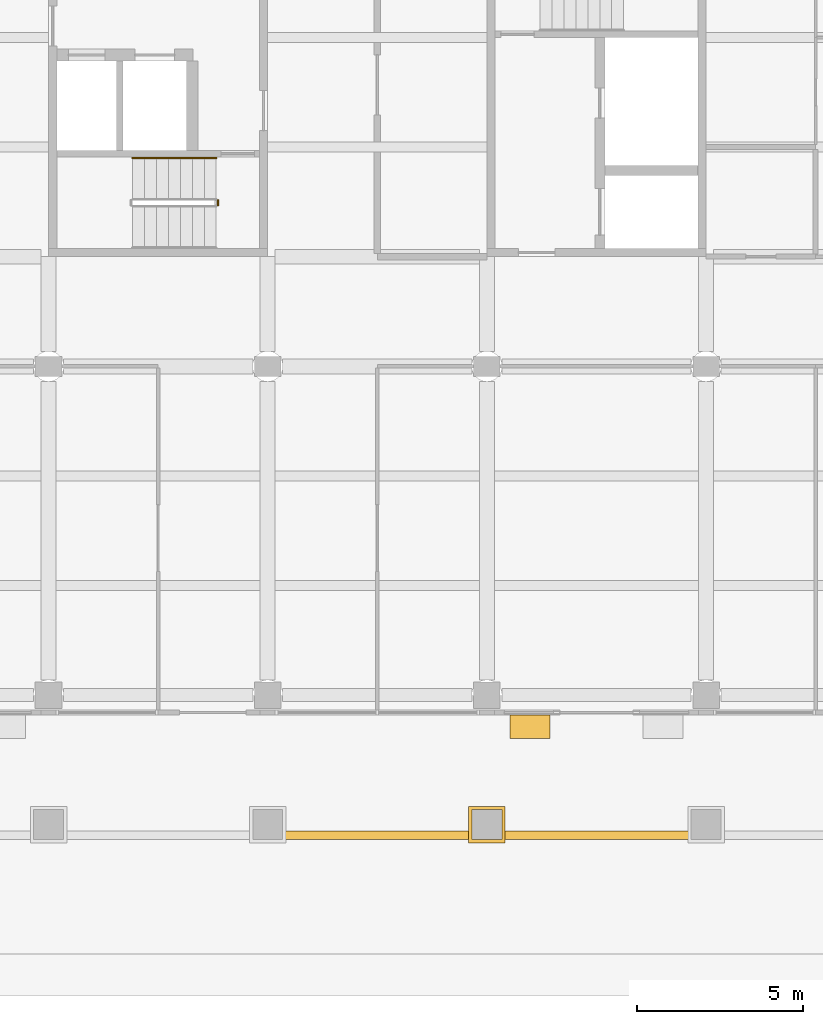
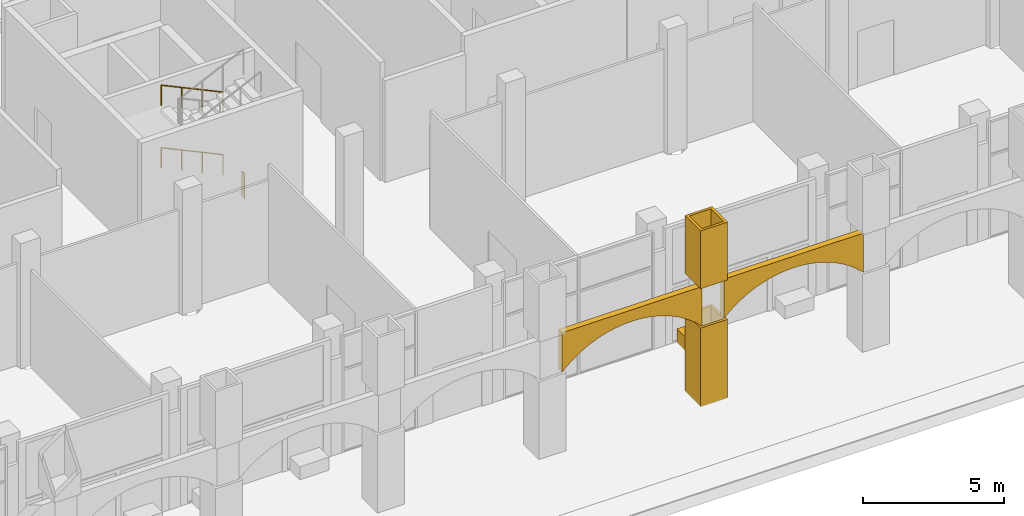
# One storey, part 48 of 85: 5 coverings, 3 railings.
"""IFC4 building model written with IfcOpenShell, lengths in metres."""

from ifc_helpers import new_model, si_unit, direction, frame, origin, origin_2d, place, context, subcontext, project, spatial, polyline, rectangle, circle, outline, extrude, material, layer, layer_set, type_object, element, save


model = new_model("IFC4")

# Units and contexts
model_context = context("Model", 3, precision=1e-05, world=origin(), true_north=direction((0.0, 1.0)))
body_context = subcontext(model_context, "Body", "Model", "MODEL_VIEW")
ifc_project = project(units=[si_unit("LENGTHUNIT", "METRE"), si_unit("AREAUNIT", "SQUARE_METRE"), si_unit("VOLUMEUNIT", "CUBIC_METRE"), si_unit("PLANEANGLEUNIT", "RADIAN"), si_unit("MASSUNIT", "GRAM", prefix="KILO")], contexts=[model_context])

# Site, building, storey
site_placement = place(None, origin())
site = spatial("IfcSite", under=ifc_project, at=site_placement, CompositionType="ELEMENT")
building_placement = place(site_placement, origin())
building = spatial("IfcBuilding", under=site, at=building_placement, Name="Lantern Court Research Institute", CompositionType="ELEMENT")
storey_placement = place(building_placement, origin())
storey = spatial("IfcBuildingStorey", under=building, at=storey_placement, Name="L00", CompositionType="ELEMENT", Elevation=0.0)

# Coverings
ifc_material_1 = material(Name="Glass fibre reinforced concrete cladding", Category="concrete")
ifc_layer_1 = layer(ifc_material_1, 0.25)
ifc_layer_set_1 = layer_set([ifc_layer_1], Name="Glass fibre reinforced concrete cladding")
covering_type_1 = type_object("IfcCoveringType", Name="Arcade frieze panel 250 glass fibre reinforced concrete", PredefinedType="CLADDING", material=ifc_layer_set_1)
covering_1_placement = place(storey_placement, frame((0.0, -4.10009765625, 0.0), z_axis=(0.0, -1.0, 0.0), x_axis=(1.0, 0.0, 0.0)))
element("IfcCovering", 1, at=covering_1_placement, inside=storey, type_object=covering_type_1, Name="Arcade arched frieze panel 5", PredefinedType="CLADDING", context=body_context, shape_type="SweptSolid", body=[
    extrude(outline(polyline([(26.85009765625, 5.10009765625), (26.85009765625, 3.39990234375), (27.08740234375, 3.6240234375), (27.324951171875, 3.814697265625), (27.5625, 3.97802734375), (27.800048828125, 4.117919921875), (28.03759765625, 4.236572265625), (28.27490234375, 4.33642578125), (28.512451171875, 4.4189453125), (28.75, 4.485107421875), (28.987548828125, 4.535888671875), (29.22509765625, 4.571533203125), (29.46240234375, 4.593017578125), (29.699951171875, 4.60009765625), (29.9375, 4.593017578125), (30.175048828125, 4.571533203125), (30.41259765625, 4.535888671875), (30.64990234375, 4.485107421875), (30.887451171875, 4.4189453125), (31.125, 4.33642578125), (31.362548828125, 4.236572265625), (31.60009765625, 4.117919921875), (31.83740234375, 3.97802734375), (32.074951171875, 3.814697265625), (32.3125, 3.6240234375), (32.550048828125, 3.39990234375), (32.550048828125, 5.10009765625), (26.85009765625, 5.10009765625)])), origin(), (0.0, 0.0, 1.0), 0.25),
])
covering_2_placement = place(storey_placement, frame((0.0, -4.10009765625, 0.0), z_axis=(0.0, -1.0, 0.0), x_axis=(1.0, 0.0, 0.0)))
element("IfcCovering", 2, at=covering_2_placement, inside=storey, type_object=covering_type_1, Name="Arcade arched frieze panel 6", PredefinedType="CLADDING", context=body_context, shape_type="SweptSolid", body=[
    extrude(outline(polyline([(33.449951171875, 5.10009765625), (33.449951171875, 3.39990234375), (33.6875, 3.6240234375), (33.925048828125, 3.814697265625), (34.16259765625, 3.97802734375), (34.39990234375, 4.117919921875), (34.637451171875, 4.236572265625), (34.875, 4.33642578125), (35.112548828125, 4.4189453125), (35.35009765625, 4.485107421875), (35.58740234375, 4.535888671875), (35.824951171875, 4.571533203125), (36.0625, 4.593017578125), (36.300048828125, 4.60009765625), (36.53759765625, 4.593017578125), (36.77490234375, 4.571533203125), (37.012451171875, 4.535888671875), (37.25, 4.485107421875), (37.487548828125, 4.4189453125), (37.72509765625, 4.33642578125), (37.96240234375, 4.236572265625), (38.199951171875, 4.117919921875), (38.4375, 3.97802734375), (38.675048828125, 3.814697265625), (38.91259765625, 3.6240234375), (39.14990234375, 3.39990234375), (39.14990234375, 5.10009765625), (33.449951171875, 5.10009765625)])), origin(), (0.0, 0.0, 1.0), 0.25),
])
ifc_material_2 = material(Name="Glass fibre reinforced concrete cladding", Category="concrete")
ifc_layer_2 = layer(ifc_material_2, 0.699951171875)
ifc_layer_set_2 = layer_set([ifc_layer_2], Name="Glass fibre reinforced concrete cladding")
covering_type_2 = type_object("IfcCoveringType", Name="Entrance planter 700 glass fibre reinforced concrete", PredefinedType="CLADDING", material=ifc_layer_set_2)
covering_3_placement = place(storey_placement, frame((34.300048828125, -0.949951171875, 0.0), z_axis=(0.0, 0.0, 1.0), x_axis=(1.0, 0.0, 0.0)))
element("IfcCovering", 3, at=covering_3_placement, inside=storey, type_object=covering_type_2, Name="Entrance planter 14", PredefinedType="CLADDING", context=body_context, shape_type="SweptSolid", body=[
    extrude(rectangle(XDim=1.199951171875, YDim=0.699951171875, at=origin_2d()), origin(), (0.0, 0.0, 1.0), 0.60009765625),
])
ifc_material_3 = material(Name="Glass fibre reinforced concrete cladding", Category="concrete")
ifc_layer_3 = layer(ifc_material_3, 0.10009765625)
ifc_layer_set_3 = layer_set([ifc_layer_3], Name="Glass fibre reinforced concrete cladding")
covering_type_3 = type_object("IfcCoveringType", Name="Pier casing 100 glass fibre reinforced concrete", PredefinedType="CLADDING", material=ifc_layer_set_3)
covering_4_placement = place(storey_placement, origin())
element("IfcCovering", 4, at=covering_4_placement, inside=storey, type_object=covering_type_3, Name="Pier casing 11", PredefinedType="CLADDING", context=body_context, shape_type="SweptSolid", body=[
    extrude(outline(polyline([(32.449951171875, -4.449951171875), (33.550048828125, -4.449951171875), (33.550048828125, -3.35009765625), (32.449951171875, -3.35009765625), (32.449951171875, -4.449951171875)]), holes=[polyline([(33.449951171875, -3.449951171875), (33.449951171875, -4.35009765625), (32.550048828125, -4.35009765625), (32.550048828125, -3.449951171875), (33.449951171875, -3.449951171875)])]), origin(), (0.0, 0.0, 1.0), 3.39990234375),
])
covering_5_placement = place(storey_placement, frame((0.0, 0.0, 5.10009765625)))
element("IfcCovering", 5, at=covering_5_placement, inside=storey, type_object=covering_type_3, Name="Pier casing 12", PredefinedType="CLADDING", context=body_context, shape_type="SweptSolid", body=[
    extrude(outline(polyline([(32.449951171875, -4.449951171875), (33.550048828125, -4.449951171875), (33.550048828125, -3.35009765625), (32.449951171875, -3.35009765625), (32.449951171875, -4.449951171875)]), holes=[polyline([(33.449951171875, -3.449951171875), (33.449951171875, -4.35009765625), (32.550048828125, -4.35009765625), (32.550048828125, -3.449951171875), (33.449951171875, -3.449951171875)])]), origin(), (0.0, 0.0, 1.0), 2.5),
])

# Railings
ifc_material_4 = material(Name="Structural steel S355", Category="steel")
railing_type_1 = type_object("IfcRailingType", Name="Stair guard 1100 steel", PredefinedType="GUARDRAIL", material=ifc_material_4)
railing_placement = place(storey_placement, frame((24.89990234375, 14.89990234375, 0.0)))
element("IfcRailing", 6, at=railing_placement, inside=storey, type_object=railing_type_1, Name="L00 ST-B2 stair guard 8", PredefinedType="GUARDRAIL", context=body_context, shape_type="SweptSolid", body=[
    extrude(circle(Radius=0.02392578125, at=origin_2d()), frame((0.0, 0.0, 1.076171875), z_axis=(0.0, -1.0, 0.0), x_axis=(1.0, 0.0, 0.0)), (0.0, 0.0, 1.0), 0.14990234375),
    extrude(circle(Radius=0.02099609375, at=origin_2d()), origin(), (0.0, 0.0, 1.0), 1.052001953125),
    extrude(circle(Radius=0.02099609375, at=origin_2d()), frame((0.0, -0.14990234375, 0.0)), (0.0, 0.0, 1.0), 1.052001953125),
])
ifc_material_5 = material(Name="Stainless steel 316", Category="steel")
railing_type_2 = type_object("IfcRailingType", Name="Stair handrail 900 steel", PredefinedType="HANDRAIL", material=ifc_material_5)
for number, where, name in (
    (7, (24.85009765625, 16.175048828125, 0.168701171875), "L00 ST-B2 stair handrail 1"),
    (8, (24.85009765625, 16.175048828125, 2.86865234375), "L00 ST-B2 stair handrail 3"),
):
    element("IfcRailing", number, at=place(storey_placement, frame(where)), inside=storey, type_object=railing_type_2, Name=name, PredefinedType="HANDRAIL", context=body_context, shape_type="SweptSolid", body=[
        extrude(circle(Radius=0.02392578125, at=origin_2d()), frame((0.0, 0.0, 0.8759765625), z_axis=(-0.905439972488, 0.0, 0.424474329284), x_axis=(0.0, -1.0, 0.0)), (0.0, 0.0, 1.0), 2.783203125),
        extrude(circle(Radius=0.02099609375, at=origin_2d()), origin(), (0.0, 0.0, 1.0), 0.851806640625),
        extrude(circle(Radius=0.02099609375, at=origin_2d()), frame((-0.840087890625, 0.0, 0.393798828125)), (0.0, 0.0, 1.0), 0.851806640625),
        extrude(circle(Radius=0.02099609375, at=origin_2d()), frame((-1.679931640625, 0.0, 0.78759765625)), (0.0, 0.0, 1.0), 0.851806640625),
        extrude(circle(Radius=0.02099609375, at=origin_2d()), frame((-2.52001953125, 0.0, 1.181396484375)), (0.0, 0.0, 1.0), 0.851806640625),
    ])

save(model, "model.ifc")
